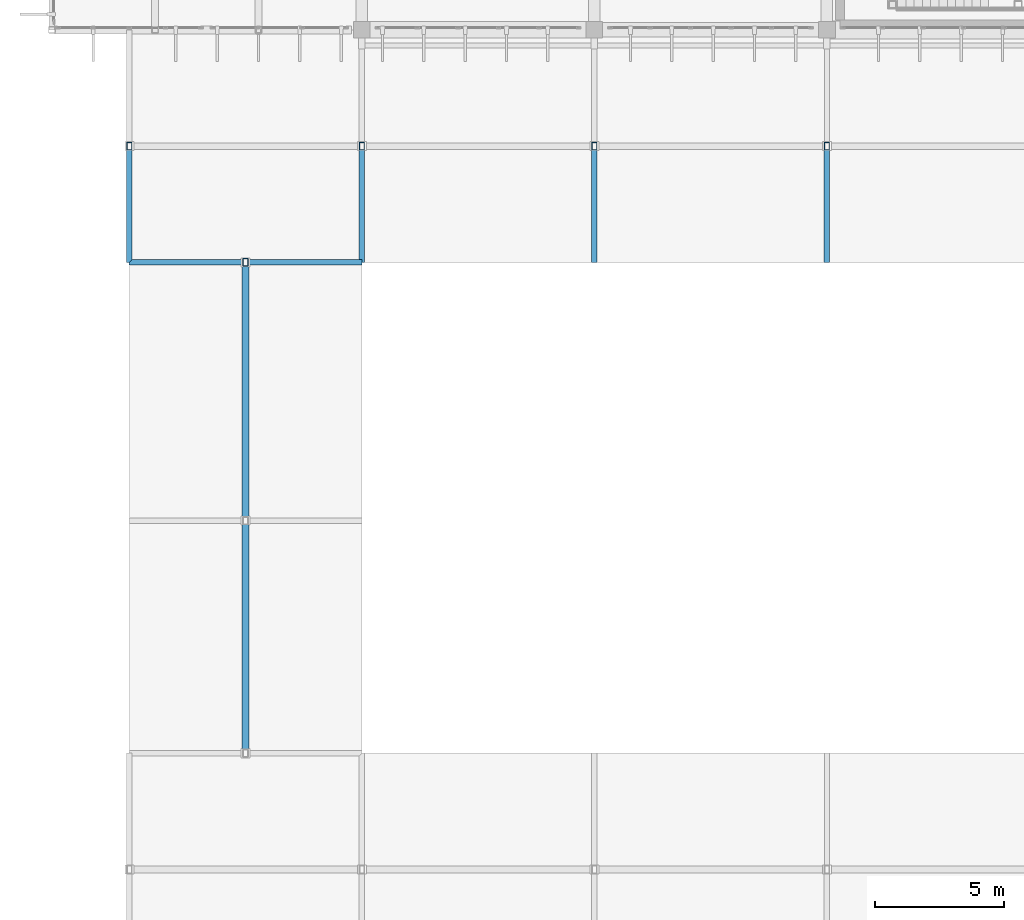
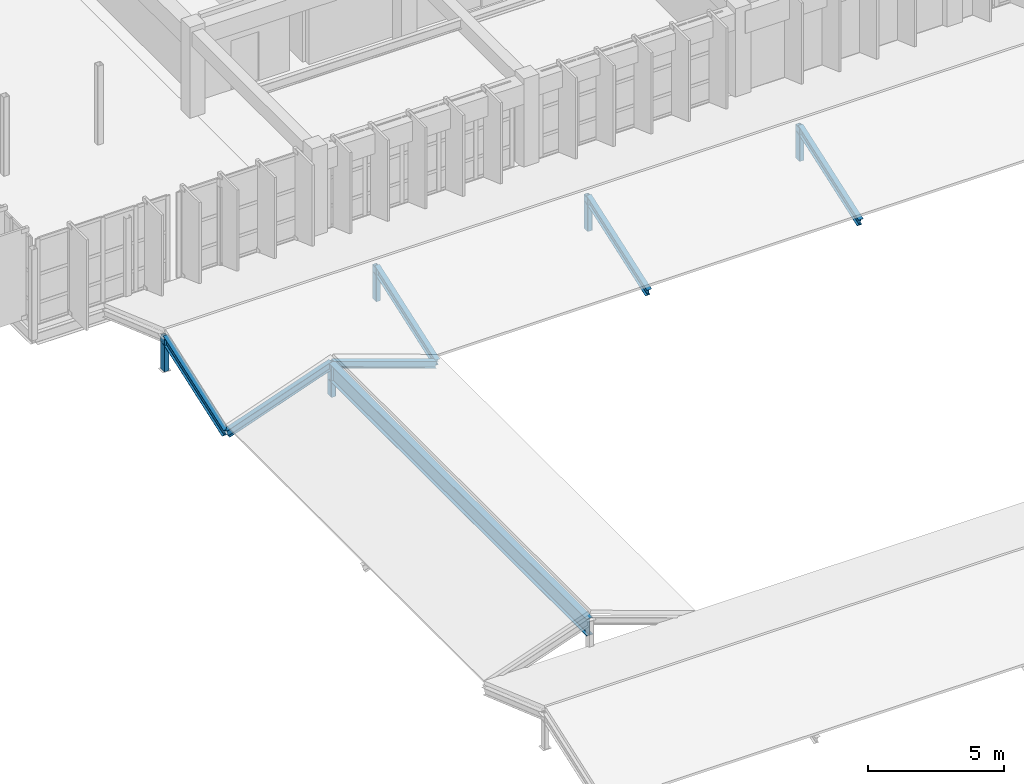
# One storey, part 9 of 80: 11 members, 1 beam.
"""IFC4 building model written with IfcOpenShell, lengths in metres."""

import ifcopenshell
import ifcopenshell.guid

model = None  # the IFC model being written
_history = None  # IfcOwnerHistory: only IFC2X3 demands one
_inside = {}  # id of a spatial element -> (the spatial element, [elements in it])
_under = {}  # id of a project, library or spatial element -> (it, [spatial elements below it])
_declared = {}  # id of a project -> (the project, [libraries it declares])
_typed = {}  # id of a type object -> (the type object, [elements of that type])
_made_of = {}  # id of a material, layer set ... -> (it, [elements and type objects made of it])


def new_model(schema):
    """Start an empty IFC model of exactly this schema.

    Asked for "IFC4X3", IfcOpenShell would pick the latest addendum, in which some entities
    have other attributes; the version numbers below select the first issue.
    IFC2X3 requires an IfcOwnerHistory on every rooted entity: one is made here for all.
    """
    global model, _history
    if schema == "IFC4X3":
        model = ifcopenshell.file(schema_version=(4, 3, 0, 0))
    else:
        model = ifcopenshell.file(schema=schema)
    _inside.clear()
    _under.clear()
    _declared.clear()
    _typed.clear()
    _made_of.clear()
    _history = None
    if model.schema == "IFC2X3":
        org = make("IfcOrganization", Name="unknown")
        user = make(
            "IfcPersonAndOrganization",
            ThePerson=make("IfcPerson", FamilyName="unknown"),
            TheOrganization=org,
        )
        app = make(
            "IfcApplication",
            ApplicationDeveloper=org,
            Version="unknown",
            ApplicationFullName="unknown",
            ApplicationIdentifier="unknown",
        )
        _history = make(
            "IfcOwnerHistory",
            OwningUser=user,
            OwningApplication=app,
            ChangeAction="ADDED",
            CreationDate=0,
        )
    return model


def make(cls, **values):
    """One entity of the class cls with the attributes given. An attribute that is None is left unset."""
    return model.create_entity(
        cls, **{name: value for name, value in values.items() if value is not None}
    )


def rooted(cls, **values):
    """An entity with a GlobalId (a new one), such as an element, a storey or a relation."""
    return make(cls, GlobalId=ifcopenshell.guid.new(), OwnerHistory=_history, **values)


def si_unit(unit_type, name, prefix=None):
    """IfcSIUnit, for example si_unit("LENGTHUNIT", "METRE", prefix="MILLI")."""
    return make("IfcSIUnit", UnitType=unit_type, Prefix=prefix, Name=name)


def assignment(units):
    """IfcUnitAssignment: the units of a project."""
    return None if units is None else make("IfcUnitAssignment", Units=units)


def point(xyz):
    """IfcCartesianPoint."""
    return None if xyz is None else make("IfcCartesianPoint", Coordinates=xyz)


def direction(xyz):
    """IfcDirection."""
    return None if xyz is None else make("IfcDirection", DirectionRatios=xyz)


def frame(location, z_axis=None, x_axis=None):
    """IfcAxis2Placement3D, a coordinate frame: its origin and axes. An axis left out is left unset."""
    return make(
        "IfcAxis2Placement3D",
        Location=point(location),
        Axis=direction(z_axis),
        RefDirection=direction(x_axis),
    )


def frame_2d(location, x_axis=None):
    """IfcAxis2Placement2D, a coordinate frame in the plane: its origin and x axis."""
    return make(
        "IfcAxis2Placement2D", Location=point(location), RefDirection=direction(x_axis)
    )


def origin():
    """The frame at (0, 0, 0) with its axes left unset."""
    return frame((0.0, 0.0, 0.0))


def origin_2d():
    """The frame at (0, 0) in the plane with its x axis left unset."""
    return frame_2d((0.0, 0.0))


def place(relative_to, where):
    """IfcLocalPlacement: puts the frame where relative to a parent placement (None: the world)."""
    return make(
        "IfcLocalPlacement", PlacementRelTo=relative_to, RelativePlacement=where
    )


def context(
    kind, dimensions, precision=None, world=None, true_north=None, identifier=None
):
    """IfcGeometricRepresentationContext, for example the 3D "Model" context."""
    return make(
        "IfcGeometricRepresentationContext",
        ContextIdentifier=identifier,
        ContextType=kind,
        CoordinateSpaceDimension=dimensions,
        Precision=precision,
        WorldCoordinateSystem=world,
        TrueNorth=true_north,
    )


def subcontext(parent, identifier, kind, view, scale=None):
    """IfcGeometricRepresentationSubContext, for example "Body" below "Model"."""
    return make(
        "IfcGeometricRepresentationSubContext",
        ContextIdentifier=identifier,
        ContextType=kind,
        ParentContext=parent,
        TargetScale=scale,
        TargetView=view,
    )


def project(units=None, contexts=None):
    """IfcProject with its units and contexts."""
    return rooted(
        "IfcProject",
        Name="project",
        RepresentationContexts=contexts,
        UnitsInContext=assignment(units),
    )


def spatial(cls, under=None, at=None, **own):
    """A site, building, storey or space (cls), placed at a placement, below another one or the project."""
    s = rooted(cls, ObjectPlacement=at, **own)
    if under is not None:
        _under.setdefault(under.id(), (under, []))[1].append(s)
    return s


def profile(cls, at=None, kind="AREA", **sizes):
    """A parametric profile (cls). Its sizes go by their IFC names, for example OverallWidth=200.0."""
    return make(cls, ProfileType=kind, Position=at, **sizes)


def hollow_rectangle(**sizes):
    """IfcRectangleHollowProfileDef."""
    return profile("IfcRectangleHollowProfileDef", **sizes)


def i_section(**sizes):
    """IfcIShapeProfileDef."""
    return profile("IfcIShapeProfileDef", **sizes)


def extrude(swept, where, along, depth):
    """IfcExtrudedAreaSolid: the profile swept, set in the frame where, extruded along a direction by depth."""
    return make(
        "IfcExtrudedAreaSolid",
        SweptArea=swept,
        Position=where,
        ExtrudedDirection=direction(along),
        Depth=depth,
    )


def shape(context_of_items, identifier, shape_type, items):
    """IfcShapeRepresentation: the items that make up one representation, for example the "Body"."""
    return make(
        "IfcShapeRepresentation",
        ContextOfItems=context_of_items,
        RepresentationIdentifier=identifier,
        RepresentationType=shape_type,
        Items=items,
    )


def material(Name=None, Category=None):
    """IfcMaterial."""
    return make("IfcMaterial", Name=Name, Category=Category)


def material_profile(
    of_material, cross_section, Name=None, Category=None, Priority=None
):
    """IfcMaterialProfile: a cross section and its material."""
    return make(
        "IfcMaterialProfile",
        Name=Name,
        Material=of_material,
        Profile=cross_section,
        Priority=Priority,
        Category=Category,
    )


def profile_set(profiles, Name=None, composite=None):
    """IfcMaterialProfileSet."""
    return make(
        "IfcMaterialProfileSet",
        Name=Name,
        MaterialProfiles=profiles,
        CompositeProfile=composite,
    )


def made_of(thing, what):
    """Note that an element or type object is made of a material, layer set ...; save() writes the relation."""
    if what is not None:
        _made_of.setdefault(what.id(), (what, []))[1].append(thing)
    return thing


def type_object(cls, material=None, **own):
    """A type object (cls), such as IfcWallType, which elements share."""
    return made_of(rooted(cls, **own), material)


def element(
    cls,
    number,
    at=None,
    inside=None,
    cuts=None,
    type_object=None,
    material=None,
    context=None,
    identifier="Body",
    shape_type=None,
    held_by="IfcProductDefinitionShape",
    body=None,
    shapes=None,
    **own,
):
    """One element of the class cls, such as IfcWall. Its Tag is "e" and its number.

    at: its placement. inside: the storey or other place that contains it. cuts: it is an
    opening in that element (IfcRelVoidsElement). A single representation is given by context,
    identifier, shape_type and body (its items); several are given by shapes. held_by: the class
    of the entity that holds the representations. save() writes the other relations.
    """
    e = rooted(cls, Tag="e%d" % number, ObjectPlacement=at, **own)
    if body is not None:
        shapes = [shape(context, identifier, shape_type, body)]
    if shapes is not None:
        e.Representation = make(held_by, Representations=shapes)
    if inside is not None:
        _inside.setdefault(inside.id(), (inside, []))[1].append(e)
    if cuts is not None:
        rooted(
            "IfcRelVoidsElement", RelatingBuildingElement=cuts, RelatedOpeningElement=e
        )
    if type_object is not None:
        _typed.setdefault(type_object.id(), (type_object, []))[1].append(e)
    return made_of(e, material)


def aggregate(whole, parts):
    """IfcRelAggregates: a whole, such as a stair, and the parts it consists of."""
    return rooted("IfcRelAggregates", RelatingObject=whole, RelatedObjects=parts)


def save(model, path):
    """Write the relations noted so far, then the file.

    IfcRelAggregates (storeys below a building ...), IfcRelContainedInSpatialStructure (elements
    in a storey), IfcRelDefinesByType, IfcRelAssociatesMaterial and IfcRelDeclares: one each for
    every whole, place, type object, material and project.
    """
    for whole, parts in _under.values():
        aggregate(whole, parts)
    for where, things in _inside.values():
        rooted(
            "IfcRelContainedInSpatialStructure",
            RelatedElements=things,
            RelatingStructure=where,
        )
    for kind, things in _typed.values():
        rooted("IfcRelDefinesByType", RelatedObjects=things, RelatingType=kind)
    for what, things in _made_of.values():
        rooted("IfcRelAssociatesMaterial", RelatedObjects=things, RelatingMaterial=what)
    for by, libraries in _declared.values():
        rooted("IfcRelDeclares", RelatingContext=by, RelatedDefinitions=libraries)
    model.write(path)


model = new_model("IFC4")

# Units and contexts
model_context = context("Model", 3, precision=1e-05, world=origin(), true_north=direction((0.0, 1.0)))
body_context = subcontext(model_context, "Body", "Model", "MODEL_VIEW")
ifc_project = project(units=[si_unit("LENGTHUNIT", "METRE"), si_unit("AREAUNIT", "SQUARE_METRE"), si_unit("VOLUMEUNIT", "CUBIC_METRE"), si_unit("PLANEANGLEUNIT", "RADIAN"), si_unit("MASSUNIT", "GRAM", prefix="KILO")], contexts=[model_context])

# Site, building, storey
site_placement = place(None, origin())
site = spatial("IfcSite", under=ifc_project, at=site_placement, CompositionType="ELEMENT")
building_placement = place(site_placement, origin())
building = spatial("IfcBuilding", under=site, at=building_placement, Name="Miravela Opera House", CompositionType="ELEMENT")
storey_placement = place(building_placement, frame((0.0, 0.0, 17.679931640625)))
storey = spatial("IfcBuildingStorey", under=building, at=storey_placement, Name="L04", CompositionType="ELEMENT", Elevation=17.679931640625)

# Beam
ifc_material_1 = material(Name="Structural steel ASTM A992 Gr. 50", Category="steel")
ifc_material_profile_1 = material_profile(ifc_material_1, i_section(OverallWidth=0.26806640625, OverallDepth=0.77001953125, WebThickness=0.015625, FlangeThickness=0.025390625, FilletRadius=0.02001953125, at=origin_2d()), Name="W760X196")
ifc_profile_set_1 = profile_set([ifc_material_profile_1])
beam_type = type_object("IfcBeamType", Name="STR-BM-W760X196", PredefinedType="BEAM", material=ifc_profile_set_1)
beam_placement = place(storey_placement, frame((22.5, 9.0, 0.85498046875), z_axis=(0.0, 1.0, 0.0), x_axis=(-1.0, 0.0, 0.0)))
element("IfcBeam", 1, at=beam_placement, inside=storey, type_object=beam_type, Name="Clay Tile Roof Ridge Beam ROOF-V4-WEST-M", PredefinedType="BEAM", context=body_context, shape_type="SweptSolid", body=[
    extrude(i_section(OverallWidth=0.26806640625, OverallDepth=0.77001953125, WebThickness=0.015625, FlangeThickness=0.025390625, FilletRadius=0.02001953125, at=origin_2d()), origin(), (0.0, 0.0, 1.0), 19.0),
])

# Members
ifc_material_2 = material(Name="Hollow structural steel ASTM A500 Gr. C", Category="steel")
ifc_material_profile_2 = material_profile(ifc_material_2, hollow_rectangle(XDim=0.199951171875, YDim=0.300048828125, WallThickness=0.011962890625, InnerFilletRadius=0.011962890625, OuterFilletRadius=0.02392578125, at=origin_2d()), Name="HSS300X200X12")
ifc_profile_set_2 = profile_set([ifc_material_profile_2])
member_type_1 = type_object("IfcMemberType", Name="STR-MEM-POST-HSS300X200", PredefinedType="POST", material=ifc_profile_set_2)
for number, where, z_axis, x_axis, name in (
    (2, (18.0, 32.5, -0.25), (0.0, 0.0, 1.0), (1.0, 0.0, 0.0), "Roof Gable King Post ROOF-V4-WEST-N W"),
    (3, (27.0, 32.5, -0.25), (0.0, 0.0, 1.0), (1.0, 0.0, 0.0), "Roof Ridge Support Post ROOF-V4-WEST-N M1"),
    (4, (36.0, 32.5, -0.25), (0.0, 0.0, 1.0), (1.0, 0.0, 0.0), "Roof Ridge Support Post ROOF-V4-WEST-N M2"),
    (5, (45.0, 32.5, -0.25), (0.0, 0.0, 1.0), (1.0, 0.0, 0.0), "Roof Ridge Support Post ROOF-V4-WEST-N M3"),
):
    element("IfcMember", number, at=place(storey_placement, frame(where, z_axis=z_axis, x_axis=x_axis)), inside=storey, type_object=member_type_1, Name=name, PredefinedType="POST", context=body_context, shape_type="SweptSolid", body=[
        extrude(hollow_rectangle(XDim=0.199951171875, YDim=0.300048828125, WallThickness=0.011962890625, InnerFilletRadius=0.011962890625, OuterFilletRadius=0.02392578125, at=origin_2d()), origin(), (0.0, 0.0, 1.0), 1.510009765625),
    ])
member_1_placement = place(storey_placement, frame((22.5, 28.0, -0.25), z_axis=(0.0, 0.0, 1.0), x_axis=(1.0, 0.0, 0.0)))
element("IfcMember", 6, at=member_1_placement, inside=storey, type_object=member_type_1, Name="Roof Gable King Post ROOF-V4-WEST-M N", PredefinedType="POST", context=body_context, shape_type="SweptSolid", body=[
    extrude(hollow_rectangle(XDim=0.199951171875, YDim=0.300048828125, WallThickness=0.011962890625, InnerFilletRadius=0.011962890625, OuterFilletRadius=0.02392578125, at=origin_2d()), origin(), (0.0, 0.0, 1.0), 1.469970703125),
])
ifc_material_profile_3 = material_profile(ifc_material_1, i_section(OverallWidth=0.2041015625, OverallDepth=0.35009765625, WebThickness=0.008544921875, FlangeThickness=0.01513671875, FilletRadius=0.013916015625, at=origin_2d()), Name="W360X72")
ifc_profile_set_3 = profile_set([ifc_material_profile_3])
member_type_2 = type_object("IfcMemberType", Name="STR-MEM-RAFTER-1", PredefinedType="RAFTER", material=ifc_profile_set_3)
for number, where, z_axis, x_axis, name in (
    (7, (18.0, 28.050048828125, -0.39990234375), (0.0, 0.943687918104, 0.3308369889), (-1.0, 0.0, 0.0), "Pitched Roof Rafter ROOF-V4-WEST-N S0"),
    (8, (27.0, 28.050048828125, -0.39990234375), (0.0, 0.943687918104, 0.3308369889), (-1.0, 0.0, 0.0), "Pitched Roof Rafter ROOF-V4-WEST-N S1"),
    (9, (36.0, 28.050048828125, -0.39990234375), (0.0, 0.943687918104, 0.3308369889), (-1.0, 0.0, 0.0), "Pitched Roof Rafter ROOF-V4-WEST-N S2"),
    (10, (45.0, 28.050048828125, -0.39990234375), (0.0, 0.943687918104, 0.3308369889), (-1.0, 0.0, 0.0), "Pitched Roof Rafter ROOF-V4-WEST-N S3"),
    (11, (18.050048828125, 28.0, -0.39990234375), (0.943687918104, 0.0, 0.3308369889), (0.0, 1.0, 0.0), "Pitched Roof Rafter ROOF-V4-WEST-M W2"),
):
    element("IfcMember", number, at=place(storey_placement, frame(where, z_axis=z_axis, x_axis=x_axis)), inside=storey, type_object=member_type_2, Name=name, PredefinedType="RAFTER", context=body_context, shape_type="SweptSolid", body=[
        extrude(i_section(OverallWidth=0.2041015625, OverallDepth=0.35009765625, WebThickness=0.008544921875, FlangeThickness=0.01513671875, FilletRadius=0.013916015625, at=origin_2d()), origin(), (0.0, 0.0, 1.0), 4.715576171875),
    ])
ifc_material_profile_4 = material_profile(ifc_material_1, i_section(OverallWidth=0.202880859375, OverallDepth=0.302978515625, WebThickness=0.007568359375, FlangeThickness=0.01318359375, FilletRadius=0.012939453125, at=origin_2d()), Name="W310X60")
ifc_profile_set_4 = profile_set([ifc_material_profile_4])
member_type_3 = type_object("IfcMemberType", Name="STR-MEM-RAFTER-2", PredefinedType="RAFTER", material=ifc_profile_set_4)
member_2_placement = place(storey_placement, frame((26.949951171875, 28.0, -0.39990234375), z_axis=(-0.943687918104, 0.0, 0.3308369889), x_axis=(0.0, -1.0, 0.0)))
element("IfcMember", 12, at=member_2_placement, inside=storey, type_object=member_type_3, Name="Pitched Roof Rafter ROOF-V4-WEST-M E2", PredefinedType="RAFTER", context=body_context, shape_type="SweptSolid", body=[
    extrude(i_section(OverallWidth=0.202880859375, OverallDepth=0.302978515625, WebThickness=0.007568359375, FlangeThickness=0.01318359375, FilletRadius=0.012939453125, at=origin_2d()), origin(), (0.0, 0.0, 1.0), 4.715576171875),
])

save(model, "model.ifc")
